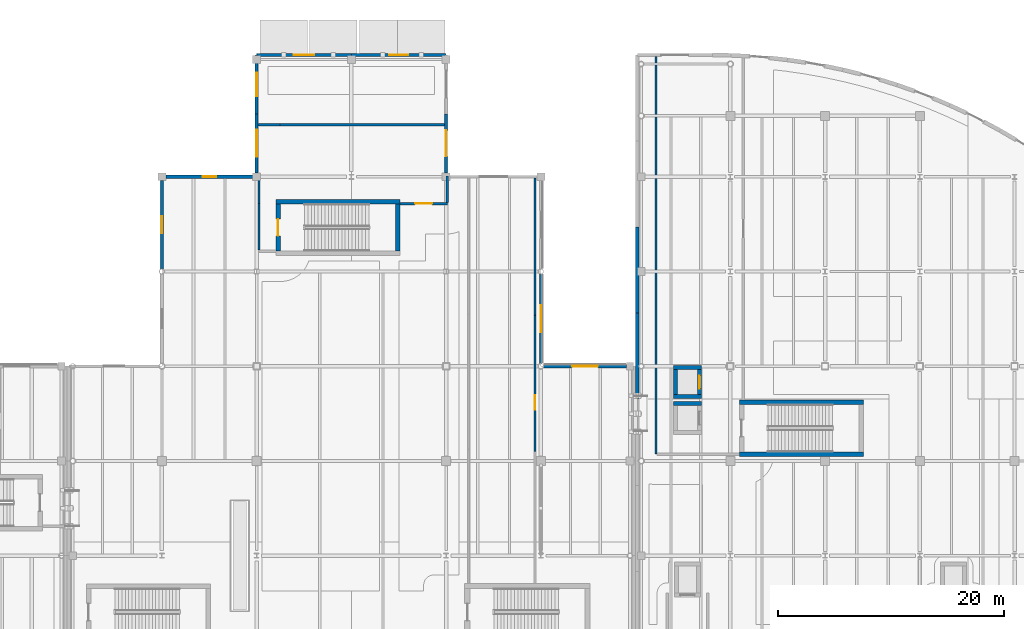
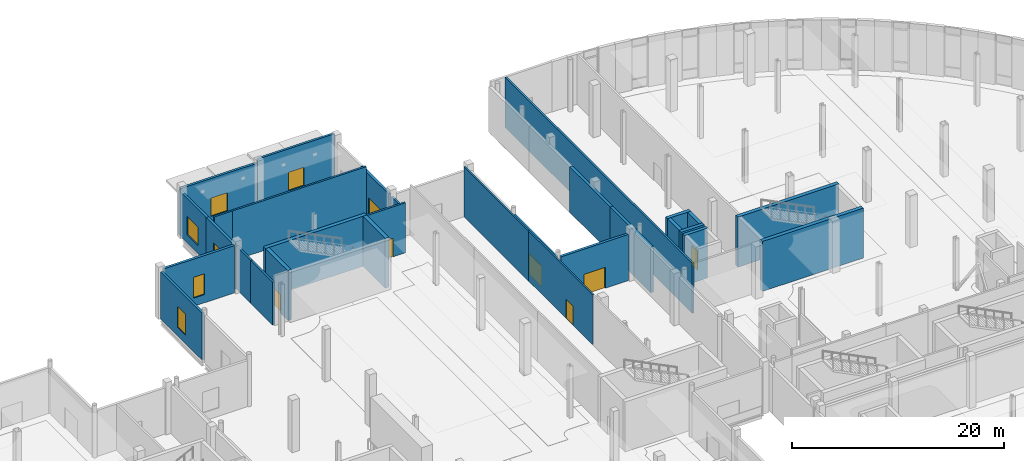
# One storey, part 50 of 85: 30 walls, 7 doors, 6 windows, 13 openings.
"""IFC4 building model written with IfcOpenShell, lengths in metres."""

import ifcopenshell
import ifcopenshell.guid

model = None  # the IFC model being written
_history = None  # IfcOwnerHistory: only IFC2X3 demands one
_inside = {}  # id of a spatial element -> (the spatial element, [elements in it])
_under = {}  # id of a project, library or spatial element -> (it, [spatial elements below it])
_declared = {}  # id of a project -> (the project, [libraries it declares])
_typed = {}  # id of a type object -> (the type object, [elements of that type])
_made_of = {}  # id of a material, layer set ... -> (it, [elements and type objects made of it])


def new_model(schema):
    """Start an empty IFC model of exactly this schema.

    Asked for "IFC4X3", IfcOpenShell would pick the latest addendum, in which some entities
    have other attributes; the version numbers below select the first issue.
    IFC2X3 requires an IfcOwnerHistory on every rooted entity: one is made here for all.
    """
    global model, _history
    if schema == "IFC4X3":
        model = ifcopenshell.file(schema_version=(4, 3, 0, 0))
    else:
        model = ifcopenshell.file(schema=schema)
    _inside.clear()
    _under.clear()
    _declared.clear()
    _typed.clear()
    _made_of.clear()
    _history = None
    if model.schema == "IFC2X3":
        org = make("IfcOrganization", Name="unknown")
        user = make(
            "IfcPersonAndOrganization",
            ThePerson=make("IfcPerson", FamilyName="unknown"),
            TheOrganization=org,
        )
        app = make(
            "IfcApplication",
            ApplicationDeveloper=org,
            Version="unknown",
            ApplicationFullName="unknown",
            ApplicationIdentifier="unknown",
        )
        _history = make(
            "IfcOwnerHistory",
            OwningUser=user,
            OwningApplication=app,
            ChangeAction="ADDED",
            CreationDate=0,
        )
    return model


def make(cls, **values):
    """One entity of the class cls with the attributes given. An attribute that is None is left unset."""
    return model.create_entity(
        cls, **{name: value for name, value in values.items() if value is not None}
    )


def rooted(cls, **values):
    """An entity with a GlobalId (a new one), such as an element, a storey or a relation."""
    return make(cls, GlobalId=ifcopenshell.guid.new(), OwnerHistory=_history, **values)


def si_unit(unit_type, name, prefix=None):
    """IfcSIUnit, for example si_unit("LENGTHUNIT", "METRE", prefix="MILLI")."""
    return make("IfcSIUnit", UnitType=unit_type, Prefix=prefix, Name=name)


def assignment(units):
    """IfcUnitAssignment: the units of a project."""
    return None if units is None else make("IfcUnitAssignment", Units=units)


def point(xyz):
    """IfcCartesianPoint."""
    return None if xyz is None else make("IfcCartesianPoint", Coordinates=xyz)


def direction(xyz):
    """IfcDirection."""
    return None if xyz is None else make("IfcDirection", DirectionRatios=xyz)


def frame(location, z_axis=None, x_axis=None):
    """IfcAxis2Placement3D, a coordinate frame: its origin and axes. An axis left out is left unset."""
    return make(
        "IfcAxis2Placement3D",
        Location=point(location),
        Axis=direction(z_axis),
        RefDirection=direction(x_axis),
    )


def frame_2d(location, x_axis=None):
    """IfcAxis2Placement2D, a coordinate frame in the plane: its origin and x axis."""
    return make(
        "IfcAxis2Placement2D", Location=point(location), RefDirection=direction(x_axis)
    )


def origin():
    """The frame at (0, 0, 0) with its axes left unset."""
    return frame((0.0, 0.0, 0.0))


def place(relative_to, where):
    """IfcLocalPlacement: puts the frame where relative to a parent placement (None: the world)."""
    return make(
        "IfcLocalPlacement", PlacementRelTo=relative_to, RelativePlacement=where
    )


def context(
    kind, dimensions, precision=None, world=None, true_north=None, identifier=None
):
    """IfcGeometricRepresentationContext, for example the 3D "Model" context."""
    return make(
        "IfcGeometricRepresentationContext",
        ContextIdentifier=identifier,
        ContextType=kind,
        CoordinateSpaceDimension=dimensions,
        Precision=precision,
        WorldCoordinateSystem=world,
        TrueNorth=true_north,
    )


def subcontext(parent, identifier, kind, view, scale=None):
    """IfcGeometricRepresentationSubContext, for example "Body" below "Model"."""
    return make(
        "IfcGeometricRepresentationSubContext",
        ContextIdentifier=identifier,
        ContextType=kind,
        ParentContext=parent,
        TargetScale=scale,
        TargetView=view,
    )


def project(units=None, contexts=None):
    """IfcProject with its units and contexts."""
    return rooted(
        "IfcProject",
        Name="project",
        RepresentationContexts=contexts,
        UnitsInContext=assignment(units),
    )


def spatial(cls, under=None, at=None, **own):
    """A site, building, storey or space (cls), placed at a placement, below another one or the project."""
    s = rooted(cls, ObjectPlacement=at, **own)
    if under is not None:
        _under.setdefault(under.id(), (under, []))[1].append(s)
    return s


def profile(cls, at=None, kind="AREA", **sizes):
    """A parametric profile (cls). Its sizes go by their IFC names, for example OverallWidth=200.0."""
    return make(cls, ProfileType=kind, Position=at, **sizes)


def rectangle(**sizes):
    """IfcRectangleProfileDef."""
    return profile("IfcRectangleProfileDef", **sizes)


def extrude(swept, where, along, depth):
    """IfcExtrudedAreaSolid: the profile swept, set in the frame where, extruded along a direction by depth."""
    return make(
        "IfcExtrudedAreaSolid",
        SweptArea=swept,
        Position=where,
        ExtrudedDirection=direction(along),
        Depth=depth,
    )


def shape(context_of_items, identifier, shape_type, items):
    """IfcShapeRepresentation: the items that make up one representation, for example the "Body"."""
    return make(
        "IfcShapeRepresentation",
        ContextOfItems=context_of_items,
        RepresentationIdentifier=identifier,
        RepresentationType=shape_type,
        Items=items,
    )


def material(Name=None, Category=None):
    """IfcMaterial."""
    return make("IfcMaterial", Name=Name, Category=Category)


def layer(
    of_material, thickness, ventilated=None, Name=None, Category=None, Priority=None
):
    """IfcMaterialLayer: one layer of a wall or slab, of a material (None: an air gap)."""
    return make(
        "IfcMaterialLayer",
        Material=of_material,
        LayerThickness=thickness,
        IsVentilated=ventilated,
        Name=Name,
        Category=Category,
        Priority=Priority,
    )


def layer_set(layers, Name=None):
    """IfcMaterialLayerSet."""
    return make("IfcMaterialLayerSet", MaterialLayers=layers, LayerSetName=Name)


def made_of(thing, what):
    """Note that an element or type object is made of a material, layer set ...; save() writes the relation."""
    if what is not None:
        _made_of.setdefault(what.id(), (what, []))[1].append(thing)
    return thing


def type_object(cls, material=None, **own):
    """A type object (cls), such as IfcWallType, which elements share."""
    return made_of(rooted(cls, **own), material)


def element(
    cls,
    number,
    at=None,
    inside=None,
    cuts=None,
    type_object=None,
    material=None,
    context=None,
    identifier="Body",
    shape_type=None,
    held_by="IfcProductDefinitionShape",
    body=None,
    shapes=None,
    **own,
):
    """One element of the class cls, such as IfcWall. Its Tag is "e" and its number.

    at: its placement. inside: the storey or other place that contains it. cuts: it is an
    opening in that element (IfcRelVoidsElement). A single representation is given by context,
    identifier, shape_type and body (its items); several are given by shapes. held_by: the class
    of the entity that holds the representations. save() writes the other relations.
    """
    e = rooted(cls, Tag="e%d" % number, ObjectPlacement=at, **own)
    if body is not None:
        shapes = [shape(context, identifier, shape_type, body)]
    if shapes is not None:
        e.Representation = make(held_by, Representations=shapes)
    if inside is not None:
        _inside.setdefault(inside.id(), (inside, []))[1].append(e)
    if cuts is not None:
        rooted(
            "IfcRelVoidsElement", RelatingBuildingElement=cuts, RelatedOpeningElement=e
        )
    if type_object is not None:
        _typed.setdefault(type_object.id(), (type_object, []))[1].append(e)
    return made_of(e, material)


def fill(opening, filler):
    """IfcRelFillsElement: the door or window that sits in an opening."""
    return rooted(
        "IfcRelFillsElement",
        RelatingOpeningElement=opening,
        RelatedBuildingElement=filler,
    )


def aggregate(whole, parts):
    """IfcRelAggregates: a whole, such as a stair, and the parts it consists of."""
    return rooted("IfcRelAggregates", RelatingObject=whole, RelatedObjects=parts)


def save(model, path):
    """Write the relations noted so far, then the file.

    IfcRelAggregates (storeys below a building ...), IfcRelContainedInSpatialStructure (elements
    in a storey), IfcRelDefinesByType, IfcRelAssociatesMaterial and IfcRelDeclares: one each for
    every whole, place, type object, material and project.
    """
    for whole, parts in _under.values():
        aggregate(whole, parts)
    for where, things in _inside.values():
        rooted(
            "IfcRelContainedInSpatialStructure",
            RelatedElements=things,
            RelatingStructure=where,
        )
    for kind, things in _typed.values():
        rooted("IfcRelDefinesByType", RelatedObjects=things, RelatingType=kind)
    for what, things in _made_of.values():
        rooted("IfcRelAssociatesMaterial", RelatedObjects=things, RelatingMaterial=what)
    for by, libraries in _declared.values():
        rooted("IfcRelDeclares", RelatingContext=by, RelatedDefinitions=libraries)
    model.write(path)


model = new_model("IFC4")

# Units and contexts
model_context = context("Model", 3, precision=1e-05, world=origin(), true_north=direction((0.0, 1.0)))
body_context = subcontext(model_context, "Body", "Model", "MODEL_VIEW")
ifc_project = project(units=[si_unit("LENGTHUNIT", "METRE"), si_unit("AREAUNIT", "SQUARE_METRE"), si_unit("VOLUMEUNIT", "CUBIC_METRE"), si_unit("PLANEANGLEUNIT", "RADIAN"), si_unit("MASSUNIT", "GRAM", prefix="KILO"), si_unit("THERMODYNAMICTEMPERATUREUNIT", "KELVIN")], contexts=[model_context])

# Site, building, storey
site_placement = place(None, origin())
site = spatial("IfcSite", under=ifc_project, at=site_placement, CompositionType="ELEMENT")
building_placement = place(site_placement, origin())
building = spatial("IfcBuilding", under=site, at=building_placement, Name="Lustrewick Department Store", CompositionType="ELEMENT")
storey_placement = place(building_placement, origin())
storey = spatial("IfcBuildingStorey", under=building, at=storey_placement, Name="L01", CompositionType="ELEMENT", Elevation=0.0)

# Wall, opening, door
ifc_material_1 = material(Name="Precast concrete C40", Category="concrete")
ifc_layer_1 = layer(ifc_material_1, 0.239990234375, Name="Precast concrete C40")
ifc_layer_set_1 = layer_set([ifc_layer_1], Name="Precast concrete C40")
wall_type_1 = type_object("IfcWallType", Name="EW01", PredefinedType="STANDARD", material=ifc_layer_set_1)
wall_1_placement = place(storey_placement, frame((100.800048828125, 84.2490234375, 0.0), z_axis=(0.0, 0.0, 1.0), x_axis=(0.0, 1.0, 0.0)))
wall_1 = element("IfcWall", 1, at=wall_1_placement, inside=storey, type_object=wall_type_1, Name="L01 V2 Exterior Wall EW01", PredefinedType="STANDARD", context=body_context, shape_type="SweptSolid", body=[
    extrude(rectangle(XDim=7.927490234375, YDim=0.239990234375, at=frame_2d((3.9638671875, 0.0))), origin(), (0.0, 0.0, 1.0), 5.23095703125),
])
opening_1_placement = place(wall_1_placement, frame((2.763916015625, 0.0, 0.0)))
opening_1 = element("IfcOpeningElement", 2, at=opening_1_placement, cuts=wall_1, Name="Opening D-EX22", PredefinedType="OPENING", context=body_context, shape_type="SweptSolid", body=[
    extrude(rectangle(XDim=2.39990234375, YDim=2.39990234375, at=frame_2d((1.199951171875, 1.199951171875))), frame((0.0, 0.1298828125, 0.0), z_axis=(0.0, -1.0, 0.0), x_axis=(1.0, 0.0, 0.0)), (0.0, 0.0, 1.0), 0.260009765625),
])
ifc_material_2 = material(Name="Thermally broken glazed aluminium entrance door", Category="aluminium")
door_type_1 = type_object("IfcDoorType", Name="DT-02", OperationType="NOTDEFINED", PredefinedType="DOOR", material=ifc_material_2)
door_1_placement = place(opening_1_placement, frame((2.39990234375, 0.0, 0.0), z_axis=(0.0, 0.0, 1.0), x_axis=(-1.0, 0.0, 0.0)))
door_1 = element("IfcDoor", 3, at=door_1_placement, inside=storey, type_object=door_type_1, Name="L01 Pedestrian Final Exit Door D-EX22", OperationType="DOUBLE_DOOR_SINGLE_SWING", OverallHeight=2.39990234375, OverallWidth=2.39990234375, PredefinedType="DOOR", context=body_context, shape_type="SweptSolid", body=[
    extrude(rectangle(XDim=2.39990234375, YDim=2.39990234375, at=frame_2d((1.199951171875, 1.199951171875))), frame((0.0, 0.02490234375, 0.0), z_axis=(0.0, -1.0, 0.0), x_axis=(1.0, 0.0, 0.0)), (0.0, 0.0, 1.0), 0.050048828125),
])
fill(opening_1, door_1)

# Wall, opening, window
wall_2_placement = place(storey_placement, frame((92.39990234375, 111.60009765625, 0.0), z_axis=(0.0, 0.0, 1.0), x_axis=(-1.0, 0.0, 0.0)))
wall_2 = element("IfcWall", 4, at=wall_2_placement, inside=storey, type_object=wall_type_1, Name="L01 V2 Exterior Wall EW01", PredefinedType="STANDARD", context=body_context, shape_type="SweptSolid", body=[
    extrude(rectangle(XDim=8.39990234375, YDim=0.239990234375, at=frame_2d((4.199951171875, 0.0))), origin(), (0.0, 0.0, 1.0), 5.7451171875),
])
opening_2_placement = place(wall_2_placement, frame((3.360107421875, 0.0, 0.949951171875)))
opening_2 = element("IfcOpeningElement", 5, at=opening_2_placement, cuts=wall_2, Name="Opening WN09", PredefinedType="OPENING", context=body_context, shape_type="SweptSolid", body=[
    extrude(rectangle(XDim=1.679931640625, YDim=2.10009765625, at=frame_2d((0.83984375, 1.050048828125))), frame((0.0, 0.1298828125, 0.0), z_axis=(0.0, -1.0, 0.0), x_axis=(1.0, 0.0, 0.0)), (0.0, 0.0, 1.0), 0.260009765625),
])
ifc_material_3 = material(Name="Thermally broken Low-E triple-glazed window", Category="glass")
window_type_1 = type_object("IfcWindowType", Name="WN09", PartitioningType="DOUBLE_PANEL_VERTICAL", PredefinedType="WINDOW", material=ifc_material_3)
window_1_placement = place(opening_2_placement, origin())
window_1 = element("IfcWindow", 6, at=window_1_placement, inside=storey, type_object=window_type_1, Name="L01 Art Nouveau Window WN09", OverallHeight=2.10009765625, OverallWidth=1.679931640625, PartitioningType="SINGLE_PANEL", PredefinedType="WINDOW", context=body_context, shape_type="SweptSolid", body=[
    extrude(rectangle(XDim=1.679931640625, YDim=2.10009765625, at=frame_2d((0.83984375, 1.050048828125))), frame((0.0, 0.030029296875, 0.0), z_axis=(0.0, -1.0, 0.0), x_axis=(1.0, 0.0, 0.0)), (0.0, 0.0, 1.0), 0.06005859375),
])
fill(opening_2, window_1)

wall_3_placement = place(storey_placement, frame((67.199951171875, 100.455078125, 0.0), z_axis=(0.0, 0.0, 1.0), x_axis=(0.0, -1.0, 0.0)))
wall_3 = element("IfcWall", 7, at=wall_3_placement, inside=storey, type_object=wall_type_1, Name="L01 V2 Exterior Wall EW01", PredefinedType="STANDARD", context=body_context, shape_type="SweptSolid", body=[
    extrude(rectangle(XDim=7.83154296875, YDim=0.239990234375, at=frame_2d((3.915771484375, 0.0))), origin(), (0.0, 0.0, 1.0), 5.386962890625),
])
opening_3_placement = place(wall_3_placement, frame((3.165771484375, 0.0, 0.949951171875)))
opening_3 = element("IfcOpeningElement", 8, at=opening_3_placement, cuts=wall_3, Name="Opening WN14", PredefinedType="OPENING", context=body_context, shape_type="SweptSolid", body=[
    extrude(rectangle(XDim=1.5, YDim=2.39990234375, at=frame_2d((0.75, 1.199951171875))), frame((0.0, 0.1298828125, 0.0), z_axis=(0.0, -1.0, 0.0), x_axis=(1.0, 0.0, 0.0)), (0.0, 0.0, 1.0), 0.260009765625),
])
window_type_2 = type_object("IfcWindowType", Name="WN14", PartitioningType="DOUBLE_PANEL_VERTICAL", PredefinedType="WINDOW", material=ifc_material_3)
window_2_placement = place(opening_3_placement, origin())
window_2 = element("IfcWindow", 9, at=window_2_placement, inside=storey, type_object=window_type_2, Name="L01 Art Nouveau Window WN14", OverallHeight=2.39990234375, OverallWidth=1.5, PartitioningType="SINGLE_PANEL", PredefinedType="WINDOW", context=body_context, shape_type="SweptSolid", body=[
    extrude(rectangle(XDim=1.5, YDim=2.39990234375, at=frame_2d((0.75, 1.199951171875))), frame((0.0, 0.030029296875, 0.0), z_axis=(0.0, -1.0, 0.0), x_axis=(1.0, 0.0, 0.0)), (0.0, 0.0, 1.0), 0.06005859375),
])
fill(opening_3, window_2)

ifc_layer_2 = layer(ifc_material_1, 0.260009765625, Name="Precast concrete C40")
ifc_layer_set_2 = layer_set([ifc_layer_2], Name="Precast concrete C40")
wall_type_2 = type_object("IfcWallType", Name="EW02", PredefinedType="STANDARD", material=ifc_layer_set_2)
wall_4_placement = place(storey_placement, frame((84.0, 111.60009765625, 0.0), z_axis=(0.0, 0.0, 1.0), x_axis=(-1.0, 0.0, 0.0)))
wall_4 = element("IfcWall", 10, at=wall_4_placement, inside=storey, type_object=wall_type_2, Name="L01 V2 Exterior Wall EW02", PredefinedType="STANDARD", context=body_context, shape_type="SweptSolid", body=[
    extrude(rectangle(XDim=8.39990234375, YDim=0.260009765625, at=frame_2d((4.199951171875, 0.0))), origin(), (0.0, 0.0, 1.0), 5.297119140625),
])
opening_4_placement = place(wall_4_placement, frame((3.300048828125, 0.0, 0.949951171875)))
opening_4 = element("IfcOpeningElement", 11, at=opening_4_placement, cuts=wall_4, Name="Opening WN10", PredefinedType="OPENING", context=body_context, shape_type="SweptSolid", body=[
    extrude(rectangle(XDim=1.800048828125, YDim=2.10009765625, at=frame_2d((0.89990234375, 1.050048828125))), frame((0.0, 0.14013671875, 0.0), z_axis=(0.0, -1.0, 0.0), x_axis=(1.0, 0.0, 0.0)), (0.0, 0.0, 1.0), 0.280029296875),
])
window_type_3 = type_object("IfcWindowType", Name="WN10", PartitioningType="DOUBLE_PANEL_VERTICAL", PredefinedType="WINDOW", material=ifc_material_3)
window_3_placement = place(opening_4_placement, origin())
window_3 = element("IfcWindow", 12, at=window_3_placement, inside=storey, type_object=window_type_3, Name="L01 Art Nouveau Window WN10", OverallHeight=2.10009765625, OverallWidth=1.800048828125, PartitioningType="SINGLE_PANEL", PredefinedType="WINDOW", context=body_context, shape_type="SweptSolid", body=[
    extrude(rectangle(XDim=1.800048828125, YDim=2.10009765625, at=frame_2d((0.89990234375, 1.050048828125))), frame((0.0, 0.030029296875, 0.0), z_axis=(0.0, -1.0, 0.0), x_axis=(1.0, 0.0, 0.0)), (0.0, 0.0, 1.0), 0.06005859375),
])
fill(opening_4, window_3)

wall_5_placement = place(storey_placement, frame((75.60009765625, 111.60009765625, 0.0), z_axis=(0.0, 0.0, 1.0), x_axis=(0.0, -1.0, 0.0)))
wall_5 = element("IfcWall", 13, at=wall_5_placement, inside=storey, type_object=wall_type_2, Name="L01 V2 Exterior Wall EW02", PredefinedType="STANDARD", context=body_context, shape_type="SweptSolid", body=[
    extrude(rectangle(XDim=5.2275390625, YDim=0.260009765625, at=frame_2d((2.61376953125, 0.0))), origin(), (0.0, 0.0, 1.0), 5.131103515625),
])
opening_5_placement = place(wall_5_placement, frame((1.563720703125, 0.0, 0.949951171875)))
opening_5 = element("IfcOpeningElement", 14, at=opening_5_placement, cuts=wall_5, Name="Opening WN11", PredefinedType="OPENING", context=body_context, shape_type="SweptSolid", body=[
    extrude(rectangle(XDim=2.10009765625, YDim=2.10009765625, at=frame_2d((1.050048828125, 1.050048828125))), frame((0.0, 0.14013671875, 0.0), z_axis=(0.0, -1.0, 0.0), x_axis=(1.0, 0.0, 0.0)), (0.0, 0.0, 1.0), 0.280029296875),
])
window_type_4 = type_object("IfcWindowType", Name="WN11", PartitioningType="DOUBLE_PANEL_VERTICAL", PredefinedType="WINDOW", material=ifc_material_3)
window_4_placement = place(opening_5_placement, origin())
window_4 = element("IfcWindow", 15, at=window_4_placement, inside=storey, type_object=window_type_4, Name="L01 Art Nouveau Window WN11", OverallHeight=2.10009765625, OverallWidth=2.10009765625, PartitioningType="SINGLE_PANEL", PredefinedType="WINDOW", context=body_context, shape_type="SweptSolid", body=[
    extrude(rectangle(XDim=2.10009765625, YDim=2.10009765625, at=frame_2d((1.050048828125, 1.050048828125))), frame((0.0, 0.030029296875, 0.0), z_axis=(0.0, -1.0, 0.0), x_axis=(1.0, 0.0, 0.0)), (0.0, 0.0, 1.0), 0.06005859375),
])
fill(opening_5, window_4)

# Wall, opening, door
ifc_layer_3 = layer(ifc_material_1, 0.280029296875, Name="Precast concrete C40")
ifc_layer_set_3 = layer_set([ifc_layer_3], Name="Precast concrete C40")
wall_type_3 = type_object("IfcWallType", Name="EW03", PredefinedType="STANDARD", material=ifc_layer_set_3)
wall_6_placement = place(storey_placement, frame((108.3798828125, 84.0, 0.0), z_axis=(0.0, 0.0, 1.0), x_axis=(-1.0, 0.0, 0.0)))
wall_6 = element("IfcWall", 16, at=wall_6_placement, inside=storey, type_object=wall_type_3, Name="L01 V2 Exterior Wall EW03", PredefinedType="STANDARD", context=body_context, shape_type="SweptSolid", body=[
    extrude(rectangle(XDim=7.330810546875, YDim=0.280029296875, at=frame_2d((3.66552734375, 0.0))), origin(), (0.0, 0.0, 1.0), 5.297119140625),
])
opening_6_placement = place(wall_6_placement, frame((2.515380859375, 0.0, 0.0)))
opening_6 = element("IfcOpeningElement", 17, at=opening_6_placement, cuts=wall_6, Name="Opening D-EX19", PredefinedType="OPENING", context=body_context, shape_type="SweptSolid", body=[
    extrude(rectangle(XDim=2.300048828125, YDim=2.39990234375, at=frame_2d((1.14990234375, 1.199951171875))), frame((0.0, 0.14990234375, 0.0), z_axis=(0.0, -1.0, 0.0), x_axis=(1.0, 0.0, 0.0)), (0.0, 0.0, 1.0), 0.300048828125),
])
door_type_2 = type_object("IfcDoorType", Name="DT-01", OperationType="NOTDEFINED", PredefinedType="DOOR", material=ifc_material_2)
door_2_placement = place(opening_6_placement, frame((2.300048828125, 0.0, 0.0), z_axis=(0.0, 0.0, 1.0), x_axis=(-1.0, 0.0, 0.0)))
door_2 = element("IfcDoor", 18, at=door_2_placement, inside=storey, type_object=door_type_2, Name="L01 Pedestrian Final Exit Door D-EX19", OperationType="DOUBLE_DOOR_SINGLE_SWING", OverallHeight=2.39990234375, OverallWidth=2.300048828125, PredefinedType="DOOR", context=body_context, shape_type="SweptSolid", body=[
    extrude(rectangle(XDim=2.300048828125, YDim=2.39990234375, at=frame_2d((1.14990234375, 1.199951171875))), frame((0.0, 0.02490234375, 0.0), z_axis=(0.0, -1.0, 0.0), x_axis=(1.0, 0.0, 0.0)), (0.0, 0.0, 1.0), 0.050048828125),
])
fill(opening_6, door_2)

wall_7_placement = place(storey_placement, frame((92.39990234375, 101.14501953125, 0.0), z_axis=(0.0, 0.0, 1.0), x_axis=(0.0, 1.0, 0.0)))
wall_7 = element("IfcWall", 19, at=wall_7_placement, inside=storey, type_object=wall_type_3, Name="L01 V2 Exterior Wall EW03", PredefinedType="STANDARD", context=body_context, shape_type="SweptSolid", body=[
    extrude(rectangle(XDim=5.2275390625, YDim=0.280029296875, at=frame_2d((2.61376953125, 0.0))), origin(), (0.0, 0.0, 1.0), 5.131103515625),
])
opening_7_placement = place(wall_7_placement, frame((1.4638671875, 0.0, 0.0)))
opening_7 = element("IfcOpeningElement", 20, at=opening_7_placement, cuts=wall_7, Name="Opening D-EX31", PredefinedType="OPENING", context=body_context, shape_type="SweptSolid", body=[
    extrude(rectangle(XDim=2.300048828125, YDim=2.39990234375, at=frame_2d((1.14990234375, 1.199951171875))), frame((0.0, 0.14990234375, 0.0), z_axis=(0.0, -1.0, 0.0), x_axis=(1.0, 0.0, 0.0)), (0.0, 0.0, 1.0), 0.300048828125),
])
door_3_placement = place(opening_7_placement, frame((2.300048828125, 0.0, 0.0), z_axis=(0.0, 0.0, 1.0), x_axis=(-1.0, 0.0, 0.0)))
door_3 = element("IfcDoor", 21, at=door_3_placement, inside=storey, type_object=door_type_2, Name="L01 Pedestrian Final Exit Door D-EX31", OperationType="DOUBLE_DOOR_SINGLE_SWING", OverallHeight=2.39990234375, OverallWidth=2.300048828125, PredefinedType="DOOR", context=body_context, shape_type="SweptSolid", body=[
    extrude(rectangle(XDim=2.300048828125, YDim=2.39990234375, at=frame_2d((1.14990234375, 1.199951171875))), frame((0.0, 0.02490234375, 0.0), z_axis=(0.0, -1.0, 0.0), x_axis=(1.0, 0.0, 0.0)), (0.0, 0.0, 1.0), 0.050048828125),
])
fill(opening_7, door_3)

# Wall, opening, window
wall_8_placement = place(storey_placement, frame((75.60009765625, 106.37255859375, 0.0), z_axis=(0.0, 0.0, 1.0), x_axis=(0.0, -1.0, 0.0)))
wall_8 = element("IfcWall", 22, at=wall_8_placement, inside=storey, type_object=wall_type_3, Name="L01 V2 Exterior Wall EW03", PredefinedType="STANDARD", context=body_context, shape_type="SweptSolid", body=[
    extrude(rectangle(XDim=5.2275390625, YDim=0.280029296875, at=frame_2d((2.61376953125, 0.0))), origin(), (0.0, 0.0, 1.0), 5.131103515625),
])
opening_8_placement = place(wall_8_placement, frame((1.413818359375, 0.0, 0.949951171875)))
opening_8 = element("IfcOpeningElement", 23, at=opening_8_placement, cuts=wall_8, Name="Opening WN12", PredefinedType="OPENING", context=body_context, shape_type="SweptSolid", body=[
    extrude(rectangle(XDim=2.39990234375, YDim=2.10009765625, at=frame_2d((1.199951171875, 1.050048828125))), frame((0.0, 0.14990234375, 0.0), z_axis=(0.0, -1.0, 0.0), x_axis=(1.0, 0.0, 0.0)), (0.0, 0.0, 1.0), 0.300048828125),
])
window_type_5 = type_object("IfcWindowType", Name="WN12", PartitioningType="DOUBLE_PANEL_VERTICAL", PredefinedType="WINDOW", material=ifc_material_3)
window_5_placement = place(opening_8_placement, origin())
window_5 = element("IfcWindow", 24, at=window_5_placement, inside=storey, type_object=window_type_5, Name="L01 Art Nouveau Window WN12", OverallHeight=2.10009765625, OverallWidth=2.39990234375, PartitioningType="SINGLE_PANEL", PredefinedType="WINDOW", context=body_context, shape_type="SweptSolid", body=[
    extrude(rectangle(XDim=2.39990234375, YDim=2.10009765625, at=frame_2d((1.199951171875, 1.050048828125))), frame((0.0, 0.030029296875, 0.0), z_axis=(0.0, -1.0, 0.0), x_axis=(1.0, 0.0, 0.0)), (0.0, 0.0, 1.0), 0.06005859375),
])
fill(opening_8, window_5)

wall_9_placement = place(storey_placement, frame((75.2548828125, 100.800048828125, 0.0), z_axis=(0.0, 0.0, 1.0), x_axis=(-1.0, 0.0, 0.0)))
wall_9 = element("IfcWall", 25, at=wall_9_placement, inside=storey, type_object=wall_type_3, Name="L01 V2 Exterior Wall EW03", PredefinedType="STANDARD", context=body_context, shape_type="SweptSolid", body=[
    extrude(rectangle(XDim=7.7099609375, YDim=0.280029296875, at=frame_2d((3.85498046875, 0.0))), origin(), (0.0, 0.0, 1.0), 5.43701171875),
])
opening_9_placement = place(wall_9_placement, frame((3.2548828125, 0.0, 0.949951171875)))
opening_9 = element("IfcOpeningElement", 26, at=opening_9_placement, cuts=wall_9, Name="Opening WN13", PredefinedType="OPENING", context=body_context, shape_type="SweptSolid", body=[
    extrude(rectangle(XDim=1.199951171875, YDim=2.39990234375, at=frame_2d((0.60009765625, 1.199951171875))), frame((0.0, 0.14990234375, 0.0), z_axis=(0.0, -1.0, 0.0), x_axis=(1.0, 0.0, 0.0)), (0.0, 0.0, 1.0), 0.300048828125),
])
window_type_6 = type_object("IfcWindowType", Name="WN13", PartitioningType="DOUBLE_PANEL_VERTICAL", PredefinedType="WINDOW", material=ifc_material_3)
window_6_placement = place(opening_9_placement, origin())
window_6 = element("IfcWindow", 27, at=window_6_placement, inside=storey, type_object=window_type_6, Name="L01 Art Nouveau Window WN13", OverallHeight=2.39990234375, OverallWidth=1.199951171875, PartitioningType="SINGLE_PANEL", PredefinedType="WINDOW", context=body_context, shape_type="SweptSolid", body=[
    extrude(rectangle(XDim=1.199951171875, YDim=2.39990234375, at=frame_2d((0.60009765625, 1.199951171875))), frame((0.0, 0.030029296875, 0.0), z_axis=(0.0, -1.0, 0.0), x_axis=(1.0, 0.0, 0.0)), (0.0, 0.0, 1.0), 0.06005859375),
])
fill(opening_9, window_6)

# Walls
ifc_layer_4 = layer(ifc_material_1, 0.300048828125, Name="Precast concrete C40")
ifc_layer_set_4 = layer_set([ifc_layer_4], Name="Precast concrete C40")
wall_type_4 = type_object("IfcWallType", Name="EW04", PredefinedType="STANDARD", material=ifc_layer_set_4)
wall_10_placement = place(storey_placement, frame((109.35009765625, 96.33740234375, 0.0), z_axis=(0.0, 0.0, 1.0), x_axis=(0.0, -1.0, 0.0)))
element("IfcWall", 28, at=wall_10_placement, inside=storey, type_object=wall_type_4, Name="L01 V4 Exterior Wall EW04", PredefinedType="STANDARD", context=body_context, shape_type="SweptSolid", body=[
    extrude(rectangle(XDim=7.631103515625, YDim=0.300048828125, at=frame_2d((3.8154296875, 0.0))), origin(), (0.0, 0.0, 1.0), 5.23095703125),
])
wall_11_placement = place(storey_placement, frame((109.35009765625, 88.706298828125, 0.0), z_axis=(0.0, 0.0, 1.0), x_axis=(0.0, -1.0, 0.0)))
element("IfcWall", 29, at=wall_11_placement, inside=storey, type_object=wall_type_4, Name="L01 V4 Exterior Wall EW04", PredefinedType="STANDARD", context=body_context, shape_type="SweptSolid", body=[
    extrude(rectangle(XDim=7.63134765625, YDim=0.300048828125, at=frame_2d((3.815673828125, 0.0))), origin(), (0.0, 0.0, 1.0), 5.23095703125),
])

# Wall, opening, door
ifc_material_4 = material(Name="Autoclaved aerated concrete blockwork and fire board", Category="masonry")
ifc_layer_5 = layer(ifc_material_4, 0.205078125, Name="Autoclaved aerated concrete blockwork and fire board")
ifc_layer_set_5 = layer_set([ifc_layer_5], Name="Autoclaved aerated concrete blockwork and fire board")
wall_type_5 = type_object("IfcWallType", Name="PW02", PredefinedType="PARTITIONING", material=ifc_layer_set_5)
wall_12_placement = place(storey_placement, frame((88.300048828125, 98.419921875, 0.0), z_axis=(0.0, 0.0, 1.0), x_axis=(1.0, 0.0, 0.0)))
wall_12 = element("IfcWall", 30, at=wall_12_placement, inside=storey, type_object=wall_type_5, Name="L01 Protected Exit Passageway ST06 PW02", PredefinedType="PARTITIONING", context=body_context, shape_type="SweptSolid", body=[
    extrude(rectangle(XDim=4.199951171875, YDim=0.205078125, at=frame_2d((2.10009765625, 0.0))), origin(), (0.0, 0.0, 1.0), 5.7451171875),
])
opening_10_placement = place(wall_12_placement, frame((1.35009765625, 0.0, 0.0)))
opening_10 = element("IfcOpeningElement", 31, at=opening_10_placement, cuts=wall_12, Name="Opening D-L01-051", PredefinedType="OPENING", context=body_context, shape_type="SweptSolid", body=[
    extrude(rectangle(XDim=1.5, YDim=2.14990234375, at=frame_2d((0.75, 1.074951171875))), frame((0.0, 0.112548828125, 0.0), z_axis=(0.0, -1.0, 0.0), x_axis=(1.0, 0.0, 0.0)), (0.0, 0.0, 1.0), 0.22509765625),
])
ifc_material_5 = material(Name="Steel fire door Class B EI 60", Category="steel")
door_type_3 = type_object("IfcDoorType", Name="DT-07", OperationType="NOTDEFINED", PredefinedType="DOOR", material=ifc_material_5)
door_4_placement = place(opening_10_placement, origin())
door_4 = element("IfcDoor", 32, at=door_4_placement, inside=storey, type_object=door_type_3, Name="L01 Protected Exit Passageway ST06 Door D-L01-051", OperationType="SINGLE_SWING_RIGHT", OverallHeight=2.14990234375, OverallWidth=1.5, PredefinedType="DOOR", context=body_context, shape_type="SweptSolid", body=[
    extrude(rectangle(XDim=1.5, YDim=2.14990234375, at=frame_2d((0.75, 1.074951171875))), frame((0.0, 0.02490234375, 0.0), z_axis=(0.0, -1.0, 0.0), x_axis=(1.0, 0.0, 0.0)), (0.0, 0.0, 1.0), 0.050048828125),
])
fill(opening_10, door_4)

# Walls
wall_13_placement = place(storey_placement, frame((92.5, 98.517578125, 0.0), z_axis=(0.0, 0.0, 1.0), x_axis=(0.0, 1.0, 0.0)))
element("IfcWall", 33, at=wall_13_placement, inside=storey, type_object=wall_type_5, Name="L01 Protected Exit Passageway ST06 PW02", PredefinedType="PARTITIONING", context=body_context, shape_type="SweptSolid", body=[
    extrude(rectangle(XDim=2.3623046875, YDim=0.205078125, at=frame_2d((1.18115234375, 0.0))), origin(), (0.0, 0.0, 1.0), 4.93701171875),
])
wall_14_placement = place(storey_placement, frame((92.264892578125, 105.39990234375, 0.0), z_axis=(0.0, 0.0, 1.0), x_axis=(-1.0, 0.0, 0.0)))
element("IfcWall", 34, at=wall_14_placement, inside=storey, type_object=wall_type_5, Name="L01 Protected Exit Passageway ST06 PW02", PredefinedType="PARTITIONING", context=body_context, shape_type="SweptSolid", body=[
    extrude(rectangle(XDim=14.5849609375, YDim=0.205078125, at=frame_2d((7.29248046875, 0.0))), origin(), (0.0, 0.0, 1.0), 5.7451171875),
])
wall_15_placement = place(storey_placement, frame((77.679931640625, 105.39990234375, 0.0), z_axis=(0.0, 0.0, 1.0), x_axis=(-1.0, 0.0, 0.0)))
element("IfcWall", 35, at=wall_15_placement, inside=storey, type_object=wall_type_5, Name="L01 Protected Exit Passageway ST06 PW02", PredefinedType="PARTITIONING", context=body_context, shape_type="SweptSolid", body=[
    extrude(rectangle(XDim=1.94482421875, YDim=0.205078125, at=frame_2d((0.972412109375, 0.0))), origin(), (0.0, 0.0, 1.0), 5.7451171875),
])
wall_16_placement = place(storey_placement, frame((75.800048828125, 101.14501953125, 0.0), z_axis=(0.0, 0.0, 1.0), x_axis=(0.0, -1.0, 0.0)))
element("IfcWall", 36, at=wall_16_placement, inside=storey, type_object=wall_type_5, Name="L01 Protected Exit Passageway ST06 PW02", PredefinedType="PARTITIONING", context=body_context, shape_type="SweptSolid", body=[
    extrude(rectangle(XDim=2.72509765625, YDim=0.205078125, at=frame_2d((1.362548828125, 0.0))), origin(), (0.0, 0.0, 1.0), 4.93701171875),
])
wall_17_placement = place(storey_placement, frame((75.800048828125, 98.419921875, 0.0), z_axis=(0.0, 0.0, 1.0), x_axis=(0.0, -1.0, 0.0)))
element("IfcWall", 37, at=wall_17_placement, inside=storey, type_object=wall_type_5, Name="L01 Protected Exit Passageway ST06 PW02", PredefinedType="PARTITIONING", context=body_context, shape_type="SweptSolid", body=[
    extrude(rectangle(XDim=4.122314453125, YDim=0.205078125, at=frame_2d((2.06103515625, 0.0))), origin(), (0.0, 0.0, 1.0), 4.93701171875),
])
wall_18_placement = place(storey_placement, frame((111.0, 111.47509765625, 0.0), z_axis=(0.0, 0.0, 1.0), x_axis=(0.0, -1.0, 0.0)))
element("IfcWall", 38, at=wall_18_placement, inside=storey, type_object=wall_type_5, Name="L01 Protected Exit Passageway ST10 PW02", PredefinedType="PARTITIONING", context=body_context, shape_type="SweptSolid", body=[
    extrude(rectangle(XDim=35.275146484375, YDim=0.205078125, at=frame_2d((17.6376953125, 0.0))), origin(), (0.0, 0.0, 1.0), 5.7451171875),
])

# Wall, opening, door
ifc_material_6 = material(Name="Double-stud gypsum fire board with mineral wool", Category="gypsum")
ifc_layer_6 = layer(ifc_material_6, 0.1650390625, Name="Double-stud gypsum fire board with mineral wool")
ifc_layer_set_6 = layer_set([ifc_layer_6], Name="Double-stud gypsum fire board with mineral wool")
wall_type_6 = type_object("IfcWallType", Name="PW04", PredefinedType="PARTITIONING", material=ifc_layer_set_6)
wall_19_placement = place(storey_placement, frame((100.275146484375, 76.4267578125, 0.0), z_axis=(0.0, 0.0, 1.0), x_axis=(0.0, 1.0, 0.0)))
wall_19 = element("IfcWall", 39, at=wall_19_placement, inside=storey, type_object=wall_type_6, Name="L01 Enclosed Truck Loading Dock PW04", PredefinedType="PARTITIONING", context=body_context, shape_type="SweptSolid", body=[
    extrude(rectangle(XDim=12.116455078125, YDim=0.1650390625, at=frame_2d((6.05810546875, 0.0))), origin(), (0.0, 0.0, 1.0), 5.7451171875),
])
opening_11_placement = place(wall_19_placement, frame((3.7119140625, 0.0, 0.0)))
opening_11 = element("IfcOpeningElement", 40, at=opening_11_placement, cuts=wall_19, Name="Opening D-L01-052", PredefinedType="OPENING", context=body_context, shape_type="SweptSolid", body=[
    extrude(rectangle(XDim=1.300048828125, YDim=2.199951171875, at=frame_2d((0.64990234375, 1.10009765625))), frame((0.0, 0.092529296875, 0.0), z_axis=(0.0, -1.0, 0.0), x_axis=(1.0, 0.0, 0.0)), (0.0, 0.0, 1.0), 0.18505859375),
])
ifc_material_7 = material(Name="Steel fire door Class A EI 90", Category="steel")
door_type_4 = type_object("IfcDoorType", Name="DT-13", OperationType="NOTDEFINED", PredefinedType="DOOR", material=ifc_material_7)
door_5_placement = place(opening_11_placement, origin())
door_5 = element("IfcDoor", 41, at=door_5_placement, inside=storey, type_object=door_type_4, Name="L01 Enclosed Truck Loading Dock Door D-L01-052", OperationType="SINGLE_SWING_LEFT", OverallHeight=2.199951171875, OverallWidth=1.300048828125, PredefinedType="DOOR", context=body_context, shape_type="SweptSolid", body=[
    extrude(rectangle(XDim=1.300048828125, YDim=2.199951171875, at=frame_2d((0.64990234375, 1.10009765625))), frame((0.0, 0.02490234375, 0.0), z_axis=(0.0, -1.0, 0.0), x_axis=(1.0, 0.0, 0.0)), (0.0, 0.0, 1.0), 0.050048828125),
])
fill(opening_11, door_5)

# Walls
wall_20_placement = place(storey_placement, frame((100.275146484375, 88.543212890625, 0.0), z_axis=(0.0, 0.0, 1.0), x_axis=(0.0, 1.0, 0.0)))
element("IfcWall", 42, at=wall_20_placement, inside=storey, type_object=wall_type_6, Name="L01 Enclosed Truck Loading Dock PW04", PredefinedType="PARTITIONING", context=body_context, shape_type="SweptSolid", body=[
    extrude(rectangle(XDim=12.1318359375, YDim=0.1650390625, at=frame_2d((6.06591796875, 0.0))), origin(), (0.0, 0.0, 1.0), 5.7451171875),
])
ifc_material_8 = material(Name="Concrete C50", Category="concrete")
ifc_layer_7 = layer(ifc_material_8, 0.39990234375, Name="Concrete C50")
ifc_layer_set_7 = layer_set([ifc_layer_7], Name="Concrete C50")
wall_type_7 = type_object("IfcWallType", Name="SW02", PredefinedType="SHEAR", material=ifc_layer_set_7)
wall_21_placement = place(storey_placement, frame((88.10009765625, 94.199951171875, 0.0), z_axis=(0.0, 0.0, 1.0), x_axis=(0.0, 1.0, 0.0)))
element("IfcWall", 43, at=wall_21_placement, inside=storey, type_object=wall_type_7, Name="L01 Stair Core ST06 Shear Wall E", PredefinedType="SHEAR", context=body_context, shape_type="SweptSolid", body=[
    extrude(rectangle(XDim=4.199951171875, YDim=0.39990234375, at=frame_2d((2.10009765625, 0.0))), origin(), (0.0, 0.0, 1.0), 5.7451171875),
])
wall_22_placement = place(storey_placement, frame((88.300048828125, 98.60009765625, 0.0), z_axis=(0.0, 0.0, 1.0), x_axis=(-1.0, 0.0, 0.0)))
element("IfcWall", 44, at=wall_22_placement, inside=storey, type_object=wall_type_7, Name="L01 Stair Core ST06 Shear Wall N", PredefinedType="SHEAR", context=body_context, shape_type="SweptSolid", body=[
    extrude(rectangle(XDim=11.0, YDim=0.39990234375, at=frame_2d((5.5, 0.0))), origin(), (0.0, 0.0, 1.0), 5.7451171875),
])

# Wall, opening, door
wall_23_placement = place(storey_placement, frame((77.5, 98.39990234375, 0.0), z_axis=(0.0, 0.0, 1.0), x_axis=(0.0, -1.0, 0.0)))
wall_23 = element("IfcWall", 45, at=wall_23_placement, inside=storey, type_object=wall_type_7, Name="L01 Stair Core ST06 Shear Wall W", PredefinedType="SHEAR", context=body_context, shape_type="SweptSolid", body=[
    extrude(rectangle(XDim=4.199951171875, YDim=0.39990234375, at=frame_2d((2.10009765625, 0.0))), origin(), (0.0, 0.0, 1.0), 5.7451171875),
])
opening_12_placement = place(wall_23_placement, frame((1.35009765625, 0.0, 0.0)))
opening_12 = element("IfcOpeningElement", 46, at=opening_12_placement, cuts=wall_23, Name="Opening D-L01-006", PredefinedType="OPENING", context=body_context, shape_type="SweptSolid", body=[
    extrude(rectangle(XDim=1.5, YDim=2.14990234375, at=frame_2d((0.75, 1.074951171875))), frame((0.0, 0.2099609375, 0.0), z_axis=(0.0, -1.0, 0.0), x_axis=(1.0, 0.0, 0.0)), (0.0, 0.0, 1.0), 0.419921875),
])
door_6_placement = place(opening_12_placement, frame((1.5, 0.0, 0.0), z_axis=(0.0, 0.0, 1.0), x_axis=(-1.0, 0.0, 0.0)))
door_6 = element("IfcDoor", 47, at=door_6_placement, inside=storey, type_object=door_type_3, Name="L01 Smoke-Proof Stair ST06 Fire Door", OperationType="SINGLE_SWING_RIGHT", OverallHeight=2.14990234375, OverallWidth=1.5, PredefinedType="DOOR", context=body_context, shape_type="SweptSolid", body=[
    extrude(rectangle(XDim=1.5, YDim=2.14990234375, at=frame_2d((0.75, 1.074951171875))), frame((0.0, 0.02490234375, 0.0), z_axis=(0.0, -1.0, 0.0), x_axis=(1.0, 0.0, 0.0)), (0.0, 0.0, 1.0), 0.050048828125),
])
fill(opening_12, door_6)

# Walls
for number, where, z_axis, x_axis, name in (
    (48, (118.39990234375, 76.199951171875, 0.0), (0.0, 0.0, 1.0), (1.0, 0.0, 0.0), "L01 Stair Core ST10 Shear Wall S"),
    (49, (129.39990234375, 80.800048828125, 0.0), (0.0, 0.0, 1.0), (-1.0, 0.0, 0.0), "L01 Stair Core ST10 Shear Wall N"),
):
    element("IfcWall", number, at=place(storey_placement, frame(where, z_axis=z_axis, x_axis=x_axis)), inside=storey, type_object=wall_type_7, Name=name, PredefinedType="SHEAR", context=body_context, shape_type="SweptSolid", body=[
        extrude(rectangle(XDim=11.0, YDim=0.39990234375, at=frame_2d((5.5, 0.0))), origin(), (0.0, 0.0, 1.0), 5.7451171875),
    ])
ifc_material_9 = material(Name="Concrete C40", Category="concrete")
ifc_layer_8 = layer(ifc_material_9, 0.360107421875, Name="Concrete C40")
ifc_layer_set_8 = layer_set([ifc_layer_8], Name="Concrete C40")
wall_type_8 = type_object("IfcWallType", Name="SW04", PredefinedType="SHEAR", material=ifc_layer_set_8)
for number, where, z_axis, x_axis, name in (
    (50, (115.06005859375, 80.679931640625, 0.0), (0.0, 0.0, 1.0), (-1.0, 0.0, 0.0), "L01 Lift PL-07 Shaft Wall +Y"),
    (51, (112.5400390625, 81.320068359375, 0.0), (0.0, 0.0, 1.0), (1.0, 0.0, 0.0), "L01 Lift PL-08 Shaft Wall -Y"),
):
    element("IfcWall", number, at=place(storey_placement, frame(where, z_axis=z_axis, x_axis=x_axis)), inside=storey, type_object=wall_type_8, Name=name, PredefinedType="SHEAR", context=body_context, shape_type="SweptSolid", body=[
        extrude(rectangle(XDim=2.52001953125, YDim=0.360107421875, at=frame_2d((1.260009765625, 0.0))), origin(), (0.0, 0.0, 1.0), 5.7451171875),
    ])

# Wall, opening, door
wall_24_placement = place(storey_placement, frame((114.8798828125, 81.5, 0.0), z_axis=(0.0, 0.0, 1.0), x_axis=(0.0, 1.0, 0.0)))
wall_24 = element("IfcWall", 52, at=wall_24_placement, inside=storey, type_object=wall_type_8, Name="L01 Lift PL-08 Shaft Wall +X", PredefinedType="SHEAR", context=body_context, shape_type="SweptSolid", body=[
    extrude(rectangle(XDim=2.199951171875, YDim=0.360107421875, at=frame_2d((1.10009765625, 0.0))), origin(), (0.0, 0.0, 1.0), 5.7451171875),
])
opening_13_placement = place(wall_24_placement, frame((0.52490234375, 0.0, 0.0)))
opening_13 = element("IfcOpeningElement", 53, at=opening_13_placement, cuts=wall_24, Name="Opening LD-L01-12", PredefinedType="OPENING", context=body_context, shape_type="SweptSolid", body=[
    extrude(rectangle(XDim=1.14990234375, YDim=2.199951171875, at=frame_2d((0.574951171875, 1.10009765625))), frame((0.0, 0.18994140625, 0.0), z_axis=(0.0, -1.0, 0.0), x_axis=(1.0, 0.0, 0.0)), (0.0, 0.0, 1.0), 0.380126953125),
])
ifc_material_10 = material(Name="Brushed bronze passenger lift landing door EI 60", Category="steel")
door_type_5 = type_object("IfcDoorType", Name="DT-16", OperationType="NOTDEFINED", PredefinedType="DOOR", material=ifc_material_10)
door_7_placement = place(opening_13_placement, frame((1.14990234375, 0.0, 0.0), z_axis=(0.0, 0.0, 1.0), x_axis=(-1.0, 0.0, 0.0)))
door_7 = element("IfcDoor", 54, at=door_7_placement, inside=storey, type_object=door_type_5, Name="L01 Lift PL-08 Sliding Landing Door LD-L01-12", OperationType="DOUBLE_DOOR_SLIDING", OverallHeight=2.199951171875, OverallWidth=1.14990234375, PredefinedType="DOOR", context=body_context, shape_type="SweptSolid", body=[
    extrude(rectangle(XDim=1.14990234375, YDim=2.199951171875, at=frame_2d((0.574951171875, 1.10009765625))), frame((0.0, 0.02490234375, 0.0), z_axis=(0.0, -1.0, 0.0), x_axis=(1.0, 0.0, 0.0)), (0.0, 0.0, 1.0), 0.050048828125),
])
fill(opening_13, door_7)

# Walls
wall_25_placement = place(storey_placement, frame((115.06005859375, 83.8798828125, 0.0), z_axis=(0.0, 0.0, 1.0), x_axis=(-1.0, 0.0, 0.0)))
element("IfcWall", 55, at=wall_25_placement, inside=storey, type_object=wall_type_8, Name="L01 Lift PL-08 Shaft Wall +Y", PredefinedType="SHEAR", context=body_context, shape_type="SweptSolid", body=[
    extrude(rectangle(XDim=2.52001953125, YDim=0.360107421875, at=frame_2d((1.260009765625, 0.0))), origin(), (0.0, 0.0, 1.0), 5.7451171875),
])
wall_26_placement = place(storey_placement, frame((112.719970703125, 83.699951171875, 0.0), z_axis=(0.0, 0.0, 1.0), x_axis=(0.0, -1.0, 0.0)))
element("IfcWall", 56, at=wall_26_placement, inside=storey, type_object=wall_type_8, Name="L01 Lift PL-08 Shaft Wall -X", PredefinedType="SHEAR", context=body_context, shape_type="SweptSolid", body=[
    extrude(rectangle(XDim=2.199951171875, YDim=0.360107421875, at=frame_2d((1.10009765625, 0.0))), origin(), (0.0, 0.0, 1.0), 5.7451171875),
])

save(model, "model.ifc")
